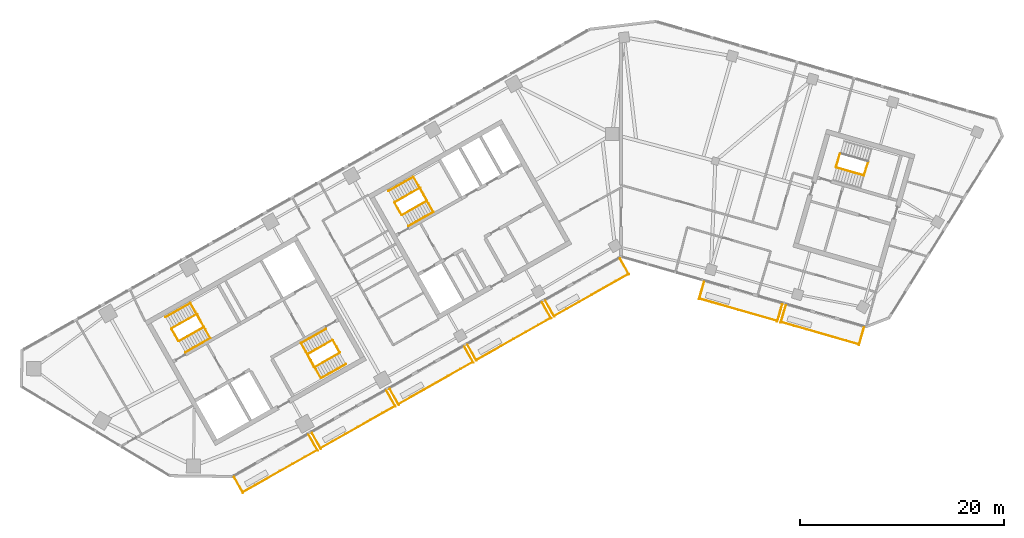
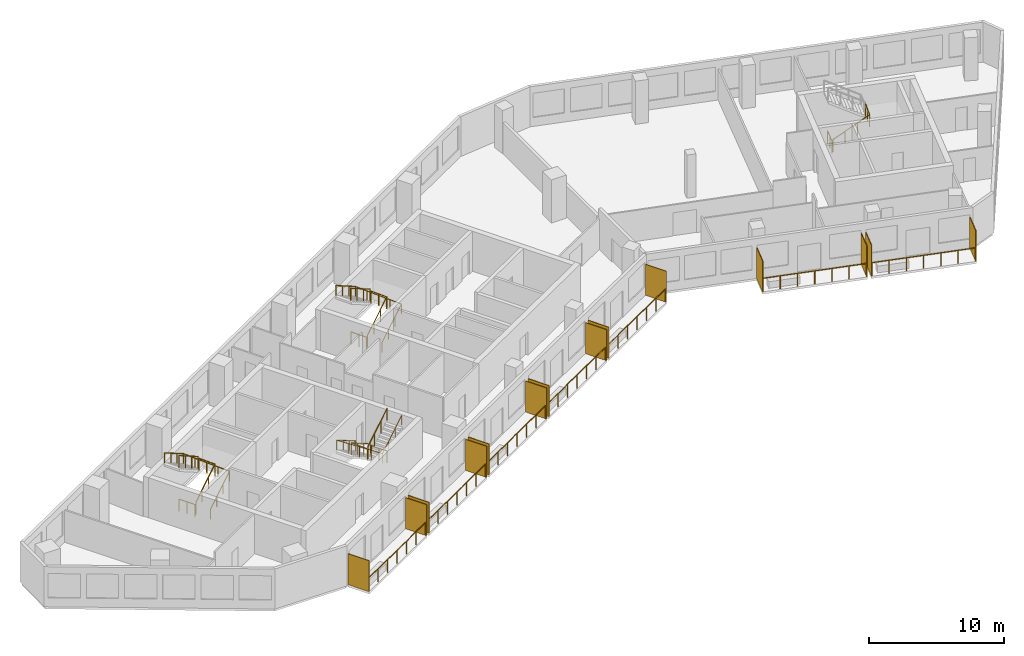
# One storey, part 9 of 11: 21 railings, 14 shading devices.
"""IFC4 building model written with IfcOpenShell, lengths in metres."""

from ifc_helpers import new_model, si_unit, direction, frame, origin, origin_2d, place, context, subcontext, project, spatial, rectangle, circle, extrude, material, layer, layer_set, type_object, element, save


model = new_model("IFC4")

# Units and contexts
model_context = context("Model", 3, precision=1e-05, world=origin(), true_north=direction((0.0, 1.0)))
body_context = subcontext(model_context, "Body", "Model", "MODEL_VIEW")
ifc_project = project(units=[si_unit("LENGTHUNIT", "METRE"), si_unit("AREAUNIT", "SQUARE_METRE"), si_unit("VOLUMEUNIT", "CUBIC_METRE"), si_unit("PLANEANGLEUNIT", "RADIAN"), si_unit("MASSUNIT", "GRAM", prefix="KILO")], contexts=[model_context])

# Site, building, storey
site_placement = place(None, origin())
site = spatial("IfcSite", under=ifc_project, at=site_placement, CompositionType="ELEMENT")
building_placement = place(site_placement, origin())
building = spatial("IfcBuilding", under=site, at=building_placement, Name="Binnacle Exchange Tower", CompositionType="ELEMENT")
storey_placement = place(building_placement, frame((0.0, 0.0, 219.199951171875)))
storey = spatial("IfcBuildingStorey", under=building, at=storey_placement, Name="L48", CompositionType="ELEMENT", Elevation=219.199951171875)

# Railings
ifc_material_1 = material(Name="Bronze anodised aluminium frame", Category="aluminium")
railing_type_1 = type_object("IfcRailingType", Name="GUARD 1200", PredefinedType="GUARDRAIL", material=ifc_material_1)
railing_1_placement = place(storey_placement, frame((-37.006591796875, 24.94287109375, 0.0)))
element("IfcRailing", 1, at=railing_1_placement, inside=storey, type_object=railing_type_1, Name="Balcony guard G01-B00 L48", PredefinedType="GUARDRAIL", context=body_context, shape_type="SweptSolid", body=[
    extrude(circle(Radius=0.02392578125, at=origin_2d()), frame((0.0, 0.0, 1.17578125), z_axis=(0.870353267448, 0.492427852424, 0.0), x_axis=(-0.492427852424, 0.870353267448, 0.0)), (0.0, 0.0, 1.0), 8.334716796875),
    extrude(circle(Radius=0.02099609375, at=origin_2d()), origin(), (0.0, 0.0, 1.0), 1.15185546875),
    extrude(circle(Radius=0.02099609375, at=origin_2d()), frame((1.208984375, 0.68408203125, 0.0)), (0.0, 0.0, 1.0), 1.15185546875),
    extrude(circle(Radius=0.02099609375, at=origin_2d()), frame((2.41796875, 1.3681640625, 0.0)), (0.0, 0.0, 1.0), 1.15185546875),
    extrude(circle(Radius=0.02099609375, at=origin_2d()), frame((3.626953125, 2.05224609375, 0.0)), (0.0, 0.0, 1.0), 1.15185546875),
    extrude(circle(Radius=0.02099609375, at=origin_2d()), frame((4.836181640625, 2.736083984375, 0.0)), (0.0, 0.0, 1.0), 1.15185546875),
    extrude(circle(Radius=0.02099609375, at=origin_2d()), frame((6.045166015625, 3.420166015625, 0.0)), (0.0, 0.0, 1.0), 1.15185546875),
    extrude(circle(Radius=0.02099609375, at=origin_2d()), frame((7.254150390625, 4.104248046875, 0.0)), (0.0, 0.0, 1.0), 1.15185546875),
])
railing_2_placement = place(storey_placement, frame((-29.386962890625, 29.25390625, 0.0)))
element("IfcRailing", 2, at=railing_2_placement, inside=storey, type_object=railing_type_1, Name="Balcony guard G01-B01 L48", PredefinedType="GUARDRAIL", context=body_context, shape_type="SweptSolid", body=[
    extrude(circle(Radius=0.02392578125, at=origin_2d()), frame((0.0, 0.0, 1.17578125), z_axis=(0.870365821494, 0.492405662818, 0.0), x_axis=(-0.492405662818, 0.870365821494, 0.0)), (0.0, 0.0, 1.0), 8.334716796875),
    extrude(circle(Radius=0.02099609375, at=origin_2d()), origin(), (0.0, 0.0, 1.0), 1.15185546875),
    extrude(circle(Radius=0.02099609375, at=origin_2d()), frame((1.208984375, 0.68408203125, 0.0)), (0.0, 0.0, 1.0), 1.15185546875),
    extrude(circle(Radius=0.02099609375, at=origin_2d()), frame((2.41796875, 1.367919921875, 0.0)), (0.0, 0.0, 1.0), 1.15185546875),
    extrude(circle(Radius=0.02099609375, at=origin_2d()), frame((3.626953125, 2.052001953125, 0.0)), (0.0, 0.0, 1.0), 1.15185546875),
    extrude(circle(Radius=0.02099609375, at=origin_2d()), frame((4.836181640625, 2.736083984375, 0.0)), (0.0, 0.0, 1.0), 1.15185546875),
    extrude(circle(Radius=0.02099609375, at=origin_2d()), frame((6.045166015625, 3.419921875, 0.0)), (0.0, 0.0, 1.0), 1.15185546875),
    extrude(circle(Radius=0.02099609375, at=origin_2d()), frame((7.254150390625, 4.10400390625, 0.0)), (0.0, 0.0, 1.0), 1.15185546875),
])
for number, where, name in (
    (3, (-21.767333984375, 33.564697265625, 0.0), "Balcony guard G01-B02 L48"),
    (4, (-14.147705078125, 37.875732421875, 0.0), "Balcony guard G01-B03 L48"),
):
    element("IfcRailing", number, at=place(storey_placement, frame(where)), inside=storey, type_object=railing_type_1, Name=name, PredefinedType="GUARDRAIL", context=body_context, shape_type="SweptSolid", body=[
        extrude(circle(Radius=0.02392578125, at=origin_2d()), frame((0.0, 0.0, 1.17578125), z_axis=(0.8703461643, 0.49244040684, 0.0), x_axis=(-0.49244040684, 0.8703461643, 0.0)), (0.0, 0.0, 1.0), 8.33447265625),
        extrude(circle(Radius=0.02099609375, at=origin_2d()), origin(), (0.0, 0.0, 1.0), 1.15185546875),
        extrude(circle(Radius=0.02099609375, at=origin_2d()), frame((1.208984375, 0.68408203125, 0.0)), (0.0, 0.0, 1.0), 1.15185546875),
        extrude(circle(Radius=0.02099609375, at=origin_2d()), frame((2.41796875, 1.3681640625, 0.0)), (0.0, 0.0, 1.0), 1.15185546875),
        extrude(circle(Radius=0.02099609375, at=origin_2d()), frame((3.626953125, 2.05224609375, 0.0)), (0.0, 0.0, 1.0), 1.15185546875),
        extrude(circle(Radius=0.02099609375, at=origin_2d()), frame((4.8359375, 2.736083984375, 0.0)), (0.0, 0.0, 1.0), 1.15185546875),
        extrude(circle(Radius=0.02099609375, at=origin_2d()), frame((6.044921875, 3.420166015625, 0.0)), (0.0, 0.0, 1.0), 1.15185546875),
        extrude(circle(Radius=0.02099609375, at=origin_2d()), frame((7.25390625, 4.104248046875, 0.0)), (0.0, 0.0, 1.0), 1.15185546875),
    ])
railing_3_placement = place(storey_placement, frame((-6.5283203125, 42.186767578125, 0.0)))
element("IfcRailing", 5, at=railing_3_placement, inside=storey, type_object=railing_type_1, Name="Balcony guard G01-B04 L48", PredefinedType="GUARDRAIL", context=body_context, shape_type="SweptSolid", body=[
    extrude(circle(Radius=0.02392578125, at=origin_2d()), frame((0.0, 0.0, 1.17578125), z_axis=(0.870365821494, 0.492405662818, 0.0), x_axis=(-0.492405662818, 0.870365821494, 0.0)), (0.0, 0.0, 1.0), 8.334716796875),
    extrude(circle(Radius=0.02099609375, at=origin_2d()), origin(), (0.0, 0.0, 1.0), 1.15185546875),
    extrude(circle(Radius=0.02099609375, at=origin_2d()), frame((1.208984375, 0.68408203125, 0.0)), (0.0, 0.0, 1.0), 1.15185546875),
    extrude(circle(Radius=0.02099609375, at=origin_2d()), frame((2.41796875, 1.367919921875, 0.0)), (0.0, 0.0, 1.0), 1.15185546875),
    extrude(circle(Radius=0.02099609375, at=origin_2d()), frame((3.626953125, 2.052001953125, 0.0)), (0.0, 0.0, 1.0), 1.15185546875),
    extrude(circle(Radius=0.02099609375, at=origin_2d()), frame((4.836181640625, 2.736083984375, 0.0)), (0.0, 0.0, 1.0), 1.15185546875),
    extrude(circle(Radius=0.02099609375, at=origin_2d()), frame((6.045166015625, 3.419921875, 0.0)), (0.0, 0.0, 1.0), 1.15185546875),
    extrude(circle(Radius=0.02099609375, at=origin_2d()), frame((7.254150390625, 4.10400390625, 0.0)), (0.0, 0.0, 1.0), 1.15185546875),
])
railing_4_placement = place(storey_placement, frame((7.69140625, 43.875244140625, 0.0)))
element("IfcRailing", 6, at=railing_4_placement, inside=storey, type_object=railing_type_1, Name="Balcony guard G02-B01 L48", PredefinedType="GUARDRAIL", context=body_context, shape_type="SweptSolid", body=[
    extrude(circle(Radius=0.02392578125, at=origin_2d()), frame((0.0, 0.0, 1.17578125), z_axis=(0.961259965977, -0.275643388836, 0.0), x_axis=(0.275643388836, 0.961259965977, 0.0)), (0.0, 0.0, 1.0), 7.900634765625),
    extrude(circle(Radius=0.02099609375, at=origin_2d()), origin(), (0.0, 0.0, 1.0), 1.15185546875),
    extrude(circle(Radius=0.02099609375, at=origin_2d()), frame((1.265625, -0.363037109375, 0.0)), (0.0, 0.0, 1.0), 1.15185546875),
    extrude(circle(Radius=0.02099609375, at=origin_2d()), frame((2.531494140625, -0.725830078125, 0.0)), (0.0, 0.0, 1.0), 1.15185546875),
    extrude(circle(Radius=0.02099609375, at=origin_2d()), frame((3.79736328125, -1.0888671875, 0.0)), (0.0, 0.0, 1.0), 1.15185546875),
    extrude(circle(Radius=0.02099609375, at=origin_2d()), frame((5.06298828125, -1.451904296875, 0.0)), (0.0, 0.0, 1.0), 1.15185546875),
    extrude(circle(Radius=0.02099609375, at=origin_2d()), frame((6.32861328125, -1.814697265625, 0.0)), (0.0, 0.0, 1.0), 1.15185546875),
    extrude(circle(Radius=0.02099609375, at=origin_2d()), frame((7.594482421875, -2.177734375, 0.0)), (0.0, 0.0, 1.0), 1.15185546875),
])
railing_5_placement = place(storey_placement, frame((15.689453125, 41.581787109375, 0.0)))
element("IfcRailing", 7, at=railing_5_placement, inside=storey, type_object=railing_type_1, Name="Balcony guard G02-B02 L48", PredefinedType="GUARDRAIL", context=body_context, shape_type="SweptSolid", body=[
    extrude(circle(Radius=0.02392578125, at=origin_2d()), frame((0.0, 0.0, 1.17578125), z_axis=(0.961257617982, -0.275651576943, 0.0), x_axis=(0.275651576943, 0.961257617982, 0.0)), (0.0, 0.0, 1.0), 7.900390625),
    extrude(circle(Radius=0.02099609375, at=origin_2d()), origin(), (0.0, 0.0, 1.0), 1.15185546875),
    extrude(circle(Radius=0.02099609375, at=origin_2d()), frame((1.265625, -0.363037109375, 0.0)), (0.0, 0.0, 1.0), 1.15185546875),
    extrude(circle(Radius=0.02099609375, at=origin_2d()), frame((2.531494140625, -0.725830078125, 0.0)), (0.0, 0.0, 1.0), 1.15185546875),
    extrude(circle(Radius=0.02099609375, at=origin_2d()), frame((3.797119140625, -1.0888671875, 0.0)), (0.0, 0.0, 1.0), 1.15185546875),
    extrude(circle(Radius=0.02099609375, at=origin_2d()), frame((5.062744140625, -1.451904296875, 0.0)), (0.0, 0.0, 1.0), 1.15185546875),
    extrude(circle(Radius=0.02099609375, at=origin_2d()), frame((6.32861328125, -1.814697265625, 0.0)), (0.0, 0.0, 1.0), 1.15185546875),
    extrude(circle(Radius=0.02099609375, at=origin_2d()), frame((7.59423828125, -2.177734375, 0.0)), (0.0, 0.0, 1.0), 1.15185546875),
])

# Shading devices
ifc_material_2 = material(Name="Bronze aluminium louvre", Category="aluminium")
ifc_layer = layer(ifc_material_2, 0.06005859375)
ifc_layer_set = layer_set([ifc_layer], Name="PLANTED SCREEN 60x2800")
shading_device_type = type_object("IfcShadingDeviceType", Name="PLANTED SCREEN 60x2800", PredefinedType="USERDEFINED", material=ifc_layer_set)
for number, where, z_axis, x_axis, name in (
    (8, (-37.436279296875, 25.641845703125, 0.0), (0.0, 0.0, 1.0), (0.87035569594, 0.492423560103, 0.0), "Planted screen G01-B00a L48"),
    (9, (-30.130126953125, 29.775390625, 0.0), (0.0, 0.0, 1.0), (0.87035569594, 0.492423560103, 0.0), "Planted screen G01-B00b L48"),
    (10, (-29.81689453125, 29.95263671875, 0.0), (0.0, 0.0, 1.0), (0.87035569594, 0.492423560103, 0.0), "Planted screen G01-B01a L48"),
    (11, (-22.510498046875, 34.08642578125, 0.0), (0.0, 0.0, 1.0), (0.87035569594, 0.492423560103, 0.0), "Planted screen G01-B01b L48"),
    (12, (-22.197265625, 34.263671875, 0.0), (0.0, 0.0, 1.0), (0.87035569594, 0.492423560103, 0.0), "Planted screen G01-B02a L48"),
    (13, (-14.89111328125, 38.3974609375, 0.0), (0.0, 0.0, 1.0), (0.87035569594, 0.492423560103, 0.0), "Planted screen G01-B02b L48"),
    (14, (-14.57763671875, 38.57470703125, 0.0), (0.0, 0.0, 1.0), (0.87035569594, 0.492423560103, 0.0), "Planted screen G01-B03a L48"),
    (15, (-7.271484375, 42.70849609375, 0.0), (0.0, 0.0, 1.0), (0.87035569594, 0.492423560103, 0.0), "Planted screen G01-B03b L48"),
    (16, (-6.9580078125, 42.885498046875, 0.0), (0.0, 0.0, 1.0), (0.87035569594, 0.492423560103, 0.0), "Planted screen G01-B04a L48"),
    (17, (0.34814453125, 47.019287109375, 0.0), (0.0, 0.0, 1.0), (0.87035569594, 0.492423560103, 0.0), "Planted screen G01-B04b L48"),
    (18, (7.888671875, 44.671630859375, 0.0), (0.0, 0.0, 1.0), (0.961261695938, -0.275637355817, 0.0), "Planted screen G02-B01a L48"),
    (19, (15.54052734375, 42.4775390625, 0.0), (0.0, 0.0, 1.0), (0.961261695938, -0.275637355817, 0.0), "Planted screen G02-B01b L48"),
    (20, (15.88671875, 42.37841796875, 0.0), (0.0, 0.0, 1.0), (0.961261695938, -0.275637355817, 0.0), "Planted screen G02-B02a L48"),
    (21, (23.538818359375, 40.18408203125, 0.0), (0.0, 0.0, 1.0), (0.961261695938, -0.275637355817, 0.0), "Planted screen G02-B02b L48"),
):
    element("IfcShadingDevice", number, at=place(storey_placement, frame(where, z_axis=z_axis, x_axis=x_axis)), inside=storey, type_object=shading_device_type, Name=name, ObjectType="SCREEN", PredefinedType="USERDEFINED", context=body_context, shape_type="SweptSolid", body=[
        extrude(rectangle(XDim=0.06005859375, YDim=1.800048828125, at=origin_2d()), origin(), (0.0, 0.0, 1.0), 2.800048828125),
    ])

# Railings
ifc_material_3 = material(Name="Steel guard rail", Category="steel")
railing_type_2 = type_object("IfcRailingType", Name="STAIR GUARD 1100", PredefinedType="GUARDRAIL", material=ifc_material_3)
railing_6_placement = place(storey_placement, frame((-43.26171875, 39.71728515625, 0.17724609375)))
element("IfcRailing", 22, at=railing_6_placement, inside=storey, type_object=railing_type_2, Name="L48 STA1 stair guard 1", PredefinedType="GUARDRAIL", context=body_context, shape_type="SweptSolid", body=[
    extrude(circle(Radius=0.02392578125, at=origin_2d()), frame((0.0, 0.0, 1.076171875), z_axis=(0.735358749054, 0.416079564682, 0.534906819964), x_axis=(-0.492453686477, 0.870338650569, 0.0)), (0.0, 0.0, 1.0), 3.31396484375),
    extrude(circle(Radius=0.02392578125, at=origin_2d()), frame((2.43701171875, 1.37890625, 2.8486328125), z_axis=(-0.461100321709, 0.887348011391, 0.0), x_axis=(-0.887348011391, -0.461100321709, 0.0)), (0.0, 0.0, 1.0), 1.40087890625),
    extrude(circle(Radius=0.02099609375, at=origin_2d()), origin(), (0.0, 0.0, 1.0), 1.052001953125),
    extrude(circle(Radius=0.02099609375, at=origin_2d()), frame((0.812255859375, 0.459716796875, 0.5908203125)), (0.0, 0.0, 1.0), 1.052001953125),
    extrude(circle(Radius=0.02099609375, at=origin_2d()), frame((1.624755859375, 0.919189453125, 1.181884765625)), (0.0, 0.0, 1.0), 1.052001953125),
    extrude(circle(Radius=0.02099609375, at=origin_2d()), frame((2.43701171875, 1.37890625, 1.772705078125)), (0.0, 0.0, 1.0), 1.052001953125),
    extrude(circle(Radius=0.02099609375, at=origin_2d()), frame((2.114013671875, 2.00048828125, 1.772705078125)), (0.0, 0.0, 1.0), 1.052001953125),
    extrude(circle(Radius=0.02099609375, at=origin_2d()), frame((1.791015625, 2.6220703125, 1.772705078125)), (0.0, 0.0, 1.0), 1.052001953125),
])
railing_7_placement = place(storey_placement, frame((-41.538818359375, 42.358154296875, 2.12744140625)))
element("IfcRailing", 23, at=railing_7_placement, inside=storey, type_object=railing_type_2, Name="L48 STA1 stair guard 2", PredefinedType="GUARDRAIL", context=body_context, shape_type="SweptSolid", body=[
    extrude(circle(Radius=0.02392578125, at=origin_2d()), frame((0.0, 0.0, 1.076171875), z_axis=(-0.735358749054, -0.416079564682, 0.534906819964), x_axis=(0.492453686477, -0.870338650569, 0.0)), (0.0, 0.0, 1.0), 3.31396484375),
    extrude(circle(Radius=0.02099609375, at=origin_2d()), origin(), (0.0, 0.0, 1.0), 1.052001953125),
    extrude(circle(Radius=0.02099609375, at=origin_2d()), frame((-0.812255859375, -0.459716796875, 0.5908203125)), (0.0, 0.0, 1.0), 1.052001953125),
    extrude(circle(Radius=0.02099609375, at=origin_2d()), frame((-1.624755859375, -0.919189453125, 1.181884765625)), (0.0, 0.0, 1.0), 1.052001953125),
    extrude(circle(Radius=0.02099609375, at=origin_2d()), frame((-2.43701171875, -1.37890625, 1.772705078125)), (0.0, 0.0, 1.0), 1.052001953125),
])
railing_8_placement = place(storey_placement, frame((-43.329833984375, 39.736328125, 0.0)))
element("IfcRailing", 24, at=railing_8_placement, inside=storey, type_object=railing_type_2, Name="L48 STA1 stair guard 3", PredefinedType="GUARDRAIL", context=body_context, shape_type="SweptSolid", body=[
    extrude(circle(Radius=0.02392578125, at=origin_2d()), frame((0.0, 0.0, 1.076171875), z_axis=(-0.4924922531, 0.870316827734, 0.0), x_axis=(-0.870316827734, -0.4924922531, 0.0)), (0.0, 0.0, 1.0), 1.349853515625),
    extrude(circle(Radius=0.02099609375, at=origin_2d()), origin(), (0.0, 0.0, 1.0), 1.052001953125),
    extrude(circle(Radius=0.02099609375, at=origin_2d()), frame((-0.33251953125, 0.58740234375, 0.0)), (0.0, 0.0, 1.0), 1.052001953125),
    extrude(circle(Radius=0.02099609375, at=origin_2d()), frame((-0.664794921875, 1.1748046875, 0.0)), (0.0, 0.0, 1.0), 1.052001953125),
])
railing_9_placement = place(storey_placement, frame((-28.265380859375, 39.814453125, 0.17724609375)))
element("IfcRailing", 25, at=railing_9_placement, inside=storey, type_object=railing_type_2, Name="L48 STA2 stair guard 1", PredefinedType="GUARDRAIL", context=body_context, shape_type="SweptSolid", body=[
    extrude(circle(Radius=0.02392578125, at=origin_2d()), frame((0.0, 0.0, 1.076171875), z_axis=(-0.735381288273, -0.416018647052, 0.534923215202), x_axis=(0.492387636113, -0.870376019777, 0.0)), (0.0, 0.0, 1.0), 3.31396484375),
    extrude(circle(Radius=0.02392578125, at=origin_2d()), frame((-2.43701171875, -1.378662109375, 2.8486328125), z_axis=(0.460963092712, -0.887419307406, 0.0), x_axis=(0.887419307406, 0.460963092712, 0.0)), (0.0, 0.0, 1.0), 1.40087890625),
    extrude(circle(Radius=0.02099609375, at=origin_2d()), origin(), (0.0, 0.0, 1.0), 1.052001953125),
    extrude(circle(Radius=0.02099609375, at=origin_2d()), frame((-0.812255859375, -0.45947265625, 0.5908203125)), (0.0, 0.0, 1.0), 1.052001953125),
    extrude(circle(Radius=0.02099609375, at=origin_2d()), frame((-1.624755859375, -0.919189453125, 1.181884765625)), (0.0, 0.0, 1.0), 1.052001953125),
    extrude(circle(Radius=0.02099609375, at=origin_2d()), frame((-2.43701171875, -1.378662109375, 1.772705078125)), (0.0, 0.0, 1.0), 1.052001953125),
    extrude(circle(Radius=0.02099609375, at=origin_2d()), frame((-2.1142578125, -2.000244140625, 1.772705078125)), (0.0, 0.0, 1.0), 1.052001953125),
    extrude(circle(Radius=0.02099609375, at=origin_2d()), frame((-1.791259765625, -2.621826171875, 1.772705078125)), (0.0, 0.0, 1.0), 1.052001953125),
])
railing_10_placement = place(storey_placement, frame((-29.988525390625, 37.173583984375, 2.12744140625)))
element("IfcRailing", 26, at=railing_10_placement, inside=storey, type_object=railing_type_2, Name="L48 STA2 stair guard 2", PredefinedType="GUARDRAIL", context=body_context, shape_type="SweptSolid", body=[
    extrude(circle(Radius=0.02392578125, at=origin_2d()), frame((0.0, 0.0, 1.076171875), z_axis=(0.735358749054, 0.416079564682, 0.534906819964), x_axis=(-0.492453686477, 0.870338650569, 0.0)), (0.0, 0.0, 1.0), 3.31396484375),
    extrude(circle(Radius=0.02099609375, at=origin_2d()), origin(), (0.0, 0.0, 1.0), 1.052001953125),
    extrude(circle(Radius=0.02099609375, at=origin_2d()), frame((0.812255859375, 0.459716796875, 0.5908203125)), (0.0, 0.0, 1.0), 1.052001953125),
    extrude(circle(Radius=0.02099609375, at=origin_2d()), frame((1.624755859375, 0.919189453125, 1.181884765625)), (0.0, 0.0, 1.0), 1.052001953125),
    extrude(circle(Radius=0.02099609375, at=origin_2d()), frame((2.43701171875, 1.37890625, 1.772705078125)), (0.0, 0.0, 1.0), 1.052001953125),
])
railing_11_placement = place(storey_placement, frame((-28.197265625, 39.795654296875, 0.0)))
element("IfcRailing", 27, at=railing_11_placement, inside=storey, type_object=railing_type_2, Name="L48 STA2 stair guard 3", PredefinedType="GUARDRAIL", context=body_context, shape_type="SweptSolid", body=[
    extrude(circle(Radius=0.02392578125, at=origin_2d()), frame((0.0, 0.0, 1.076171875), z_axis=(0.49241474071, -0.870360685654, 0.0), x_axis=(0.870360685654, 0.49241474071, 0.0)), (0.0, 0.0, 1.0), 1.35009765625),
    extrude(circle(Radius=0.02099609375, at=origin_2d()), origin(), (0.0, 0.0, 1.0), 1.052001953125),
    extrude(circle(Radius=0.02099609375, at=origin_2d()), frame((0.33251953125, -0.58740234375, 0.0)), (0.0, 0.0, 1.0), 1.052001953125),
    extrude(circle(Radius=0.02099609375, at=origin_2d()), frame((0.664794921875, -1.175048828125, 0.0)), (0.0, 0.0, 1.0), 1.052001953125),
])
railing_12_placement = place(storey_placement, frame((-21.423828125, 52.07275390625, 0.17724609375)))
element("IfcRailing", 28, at=railing_12_placement, inside=storey, type_object=railing_type_2, Name="L48 STC1 stair guard 1", PredefinedType="GUARDRAIL", context=body_context, shape_type="SweptSolid", body=[
    extrude(circle(Radius=0.02392578125, at=origin_2d()), frame((0.0, 0.0, 1.076171875), z_axis=(0.735381288273, 0.416018647052, 0.534923215202), x_axis=(-0.492387636113, 0.870376019777, 0.0)), (0.0, 0.0, 1.0), 3.31396484375),
    extrude(circle(Radius=0.02392578125, at=origin_2d()), frame((2.43701171875, 1.378662109375, 2.8486328125), z_axis=(-0.460963092712, 0.887419307406, 0.0), x_axis=(-0.887419307406, -0.460963092712, 0.0)), (0.0, 0.0, 1.0), 1.40087890625),
    extrude(circle(Radius=0.02099609375, at=origin_2d()), origin(), (0.0, 0.0, 1.0), 1.052001953125),
    extrude(circle(Radius=0.02099609375, at=origin_2d()), frame((0.812255859375, 0.45947265625, 0.5908203125)), (0.0, 0.0, 1.0), 1.052001953125),
    extrude(circle(Radius=0.02099609375, at=origin_2d()), frame((1.624755859375, 0.919189453125, 1.181884765625)), (0.0, 0.0, 1.0), 1.052001953125),
    extrude(circle(Radius=0.02099609375, at=origin_2d()), frame((2.43701171875, 1.378662109375, 1.772705078125)), (0.0, 0.0, 1.0), 1.052001953125),
    extrude(circle(Radius=0.02099609375, at=origin_2d()), frame((2.1142578125, 2.000244140625, 1.772705078125)), (0.0, 0.0, 1.0), 1.052001953125),
    extrude(circle(Radius=0.02099609375, at=origin_2d()), frame((1.791259765625, 2.621826171875, 1.772705078125)), (0.0, 0.0, 1.0), 1.052001953125),
])
railing_13_placement = place(storey_placement, frame((-19.70068359375, 54.71337890625, 2.12744140625)))
element("IfcRailing", 29, at=railing_13_placement, inside=storey, type_object=railing_type_2, Name="L48 STC1 stair guard 2", PredefinedType="GUARDRAIL", context=body_context, shape_type="SweptSolid", body=[
    extrude(circle(Radius=0.02392578125, at=origin_2d()), frame((0.0, 0.0, 1.076171875), z_axis=(-0.735381288273, -0.416018647052, 0.534923215202), x_axis=(0.492387636113, -0.870376019777, 0.0)), (0.0, 0.0, 1.0), 3.31396484375),
    extrude(circle(Radius=0.02099609375, at=origin_2d()), origin(), (0.0, 0.0, 1.0), 1.052001953125),
    extrude(circle(Radius=0.02099609375, at=origin_2d()), frame((-0.812255859375, -0.45947265625, 0.5908203125)), (0.0, 0.0, 1.0), 1.052001953125),
    extrude(circle(Radius=0.02099609375, at=origin_2d()), frame((-1.624755859375, -0.919189453125, 1.181884765625)), (0.0, 0.0, 1.0), 1.052001953125),
    extrude(circle(Radius=0.02099609375, at=origin_2d()), frame((-2.43701171875, -1.378662109375, 1.772705078125)), (0.0, 0.0, 1.0), 1.052001953125),
])
railing_14_placement = place(storey_placement, frame((-21.491943359375, 52.091552734375, 0.0)))
element("IfcRailing", 30, at=railing_14_placement, inside=storey, type_object=railing_type_2, Name="L48 STC1 stair guard 3", PredefinedType="GUARDRAIL", context=body_context, shape_type="SweptSolid", body=[
    extrude(circle(Radius=0.02392578125, at=origin_2d()), frame((0.0, 0.0, 1.076171875), z_axis=(-0.49241474071, 0.870360685654, 0.0), x_axis=(-0.870360685654, -0.49241474071, 0.0)), (0.0, 0.0, 1.0), 1.35009765625),
    extrude(circle(Radius=0.02099609375, at=origin_2d()), origin(), (0.0, 0.0, 1.0), 1.052001953125),
    extrude(circle(Radius=0.02099609375, at=origin_2d()), frame((-0.33251953125, 0.58740234375, 0.0)), (0.0, 0.0, 1.0), 1.052001953125),
    extrude(circle(Radius=0.02099609375, at=origin_2d()), frame((-0.664794921875, 1.175048828125, 0.0)), (0.0, 0.0, 1.0), 1.052001953125),
])
railing_15_placement = place(storey_placement, frame((21.086669921875, 56.71044921875, 0.17724609375)))
element("IfcRailing", 31, at=railing_15_placement, inside=storey, type_object=railing_type_2, Name="L48 STD1 stair guard 1", PredefinedType="GUARDRAIL", context=body_context, shape_type="SweptSolid", body=[
    extrude(circle(Radius=0.02392578125, at=origin_2d()), frame((0.0, 0.0, 1.076171875), z_axis=(0.81215085225, -0.232948203448, 0.534926282491), x_axis=(0.275711388614, 0.96124046429, 0.0)), (0.0, 0.0, 1.0), 3.31396484375),
    extrude(circle(Radius=0.02392578125, at=origin_2d()), frame((2.69140625, -0.77197265625, 2.8486328125), z_axis=(0.309842533299, 0.950787886208, 0.0), x_axis=(-0.950787886208, 0.309842533299, 0.0)), (0.0, 0.0, 1.0), 1.40087890625),
    extrude(circle(Radius=0.02099609375, at=origin_2d()), origin(), (0.0, 0.0, 1.0), 1.052001953125),
    extrude(circle(Radius=0.02099609375, at=origin_2d()), frame((0.897216796875, -0.25732421875, 0.5908203125)), (0.0, 0.0, 1.0), 1.052001953125),
    extrude(circle(Radius=0.02099609375, at=origin_2d()), frame((1.794189453125, -0.5146484375, 1.181884765625)), (0.0, 0.0, 1.0), 1.052001953125),
    extrude(circle(Radius=0.02099609375, at=origin_2d()), frame((2.69140625, -0.77197265625, 1.772705078125)), (0.0, 0.0, 1.0), 1.052001953125),
    extrude(circle(Radius=0.02099609375, at=origin_2d()), frame((2.908447265625, -0.10595703125, 1.772705078125)), (0.0, 0.0, 1.0), 1.052001953125),
    extrude(circle(Radius=0.02099609375, at=origin_2d()), frame((3.12548828125, 0.56005859375, 1.772705078125)), (0.0, 0.0, 1.0), 1.052001953125),
])
railing_16_placement = place(storey_placement, frame((21.05224609375, 56.772216796875, 0.0)))
element("IfcRailing", 32, at=railing_16_placement, inside=storey, type_object=railing_type_2, Name="L48 STD1 stair guard 3", PredefinedType="GUARDRAIL", context=body_context, shape_type="SweptSolid", body=[
    extrude(circle(Radius=0.02392578125, at=origin_2d()), frame((0.0, 0.0, 1.076171875), z_axis=(0.275795817769, 0.961216243569, 0.0), x_axis=(-0.961216243569, 0.275795817769, 0.0)), (0.0, 0.0, 1.0), 1.349853515625),
    extrude(circle(Radius=0.02099609375, at=origin_2d()), origin(), (0.0, 0.0, 1.0), 1.052001953125),
    extrude(circle(Radius=0.02099609375, at=origin_2d()), frame((0.18603515625, 0.64892578125, 0.0)), (0.0, 0.0, 1.0), 1.052001953125),
    extrude(circle(Radius=0.02099609375, at=origin_2d()), frame((0.372314453125, 1.297607421875, 0.0)), (0.0, 0.0, 1.0), 1.052001953125),
])
ifc_material_4 = material(Name="Steel handrail", Category="steel")
railing_type_3 = type_object("IfcRailingType", Name="STAIR HANDRAIL 900", PredefinedType="HANDRAIL", material=ifc_material_4)
railing_17_placement = place(storey_placement, frame((-42.646240234375, 38.62939453125, 0.17724609375)))
element("IfcRailing", 33, at=railing_17_placement, inside=storey, type_object=railing_type_3, Name="L48 STA1 stair handrail 1", PredefinedType="HANDRAIL", context=body_context, shape_type="SweptSolid", body=[
    extrude(circle(Radius=0.02392578125, at=origin_2d()), frame((0.0, 0.0, 0.8759765625), z_axis=(0.735381288273, 0.416018647052, 0.534923215202), x_axis=(-0.492387636113, 0.870376019777, 0.0)), (0.0, 0.0, 1.0), 3.31396484375),
    extrude(circle(Radius=0.02392578125, at=origin_2d()), frame((2.43701171875, 1.378662109375, 2.6484375), z_axis=(-0.491917278502, 0.869484011028, 0.044888146287), x_axis=(-0.870361318571, -0.492413622004, 0.0)), (0.0, 0.0, 1.0), 3.9541015625),
    extrude(circle(Radius=0.02392578125, at=origin_2d()), frame((0.491943359375, 4.816650390625, 2.826171875), z_axis=(-0.735381288273, -0.416018647052, 0.534923215202), x_axis=(0.492387636113, -0.870376019777, 0.0)), (0.0, 0.0, 1.0), 3.31396484375),
    extrude(circle(Radius=0.02099609375, at=origin_2d()), origin(), (0.0, 0.0, 1.0), 0.851806640625),
    extrude(circle(Radius=0.02099609375, at=origin_2d()), frame((0.812255859375, 0.45947265625, 0.5908203125)), (0.0, 0.0, 1.0), 0.851806640625),
    extrude(circle(Radius=0.02099609375, at=origin_2d()), frame((1.624755859375, 0.919189453125, 1.181884765625)), (0.0, 0.0, 1.0), 0.851806640625),
    extrude(circle(Radius=0.02099609375, at=origin_2d()), frame((2.43701171875, 1.378662109375, 1.772705078125)), (0.0, 0.0, 1.0), 0.851806640625),
    extrude(circle(Radius=0.02099609375, at=origin_2d()), frame((1.95068359375, 2.23828125, 1.817138671875)), (0.0, 0.0, 1.0), 0.851806640625),
    extrude(circle(Radius=0.02099609375, at=origin_2d()), frame((1.46435546875, 3.09765625, 1.861328125)), (0.0, 0.0, 1.0), 0.851806640625),
    extrude(circle(Radius=0.02099609375, at=origin_2d()), frame((0.978271484375, 3.95703125, 1.90576171875)), (0.0, 0.0, 1.0), 0.851806640625),
    extrude(circle(Radius=0.02099609375, at=origin_2d()), frame((0.491943359375, 4.816650390625, 1.9501953125)), (0.0, 0.0, 1.0), 0.851806640625),
    extrude(circle(Radius=0.02099609375, at=origin_2d()), frame((-0.3203125, 4.357177734375, 2.541015625)), (0.0, 0.0, 1.0), 0.851806640625),
    extrude(circle(Radius=0.02099609375, at=origin_2d()), frame((-1.1328125, 3.8974609375, 3.132080078125)), (0.0, 0.0, 1.0), 0.851806640625),
    extrude(circle(Radius=0.02099609375, at=origin_2d()), frame((-1.945068359375, 3.43798828125, 3.722900390625)), (0.0, 0.0, 1.0), 0.851806640625),
])
railing_18_placement = place(storey_placement, frame((-28.880859375, 40.90234375, 0.17724609375)))
element("IfcRailing", 34, at=railing_18_placement, inside=storey, type_object=railing_type_3, Name="L48 STA2 stair handrail 1", PredefinedType="HANDRAIL", context=body_context, shape_type="SweptSolid", body=[
    extrude(circle(Radius=0.02392578125, at=origin_2d()), frame((0.0, 0.0, 0.8759765625), z_axis=(-0.735381288273, -0.416018647052, 0.534923215202), x_axis=(0.492387636113, -0.870376019777, 0.0)), (0.0, 0.0, 1.0), 3.31396484375),
    extrude(circle(Radius=0.02392578125, at=origin_2d()), frame((-2.43701171875, -1.378662109375, 2.6484375), z_axis=(0.491917278502, -0.869484011028, 0.044888146287), x_axis=(0.870361318571, 0.492413622004, 0.0)), (0.0, 0.0, 1.0), 3.9541015625),
    extrude(circle(Radius=0.02392578125, at=origin_2d()), frame((-0.491943359375, -4.816650390625, 2.826171875), z_axis=(0.735358749054, 0.416079564682, 0.534906819964), x_axis=(-0.492453686477, 0.870338650569, 0.0)), (0.0, 0.0, 1.0), 3.31396484375),
    extrude(circle(Radius=0.02099609375, at=origin_2d()), origin(), (0.0, 0.0, 1.0), 0.851806640625),
    extrude(circle(Radius=0.02099609375, at=origin_2d()), frame((-0.812255859375, -0.45947265625, 0.5908203125)), (0.0, 0.0, 1.0), 0.851806640625),
    extrude(circle(Radius=0.02099609375, at=origin_2d()), frame((-1.624755859375, -0.919189453125, 1.181884765625)), (0.0, 0.0, 1.0), 0.851806640625),
    extrude(circle(Radius=0.02099609375, at=origin_2d()), frame((-2.43701171875, -1.378662109375, 1.772705078125)), (0.0, 0.0, 1.0), 0.851806640625),
    extrude(circle(Radius=0.02099609375, at=origin_2d()), frame((-1.95068359375, -2.23828125, 1.817138671875)), (0.0, 0.0, 1.0), 0.851806640625),
    extrude(circle(Radius=0.02099609375, at=origin_2d()), frame((-1.46435546875, -3.09765625, 1.861328125)), (0.0, 0.0, 1.0), 0.851806640625),
    extrude(circle(Radius=0.02099609375, at=origin_2d()), frame((-0.978271484375, -3.95703125, 1.90576171875)), (0.0, 0.0, 1.0), 0.851806640625),
    extrude(circle(Radius=0.02099609375, at=origin_2d()), frame((-0.491943359375, -4.816650390625, 1.9501953125)), (0.0, 0.0, 1.0), 0.851806640625),
    extrude(circle(Radius=0.02099609375, at=origin_2d()), frame((0.3203125, -4.35693359375, 2.541015625)), (0.0, 0.0, 1.0), 0.851806640625),
    extrude(circle(Radius=0.02099609375, at=origin_2d()), frame((1.1328125, -3.8974609375, 3.132080078125)), (0.0, 0.0, 1.0), 0.851806640625),
    extrude(circle(Radius=0.02099609375, at=origin_2d()), frame((1.945068359375, -3.437744140625, 3.722900390625)), (0.0, 0.0, 1.0), 0.851806640625),
])
railing_19_placement = place(storey_placement, frame((-20.808349609375, 50.984619140625, 0.17724609375)))
element("IfcRailing", 35, at=railing_19_placement, inside=storey, type_object=railing_type_3, Name="L48 STC1 stair handrail 1", PredefinedType="HANDRAIL", context=body_context, shape_type="SweptSolid", body=[
    extrude(circle(Radius=0.02392578125, at=origin_2d()), frame((0.0, 0.0, 0.8759765625), z_axis=(0.735358749054, 0.416079564682, 0.534906819964), x_axis=(-0.492453686477, 0.870338650569, 0.0)), (0.0, 0.0, 1.0), 3.31396484375),
    extrude(circle(Radius=0.02392578125, at=origin_2d()), frame((2.43701171875, 1.37890625, 2.6484375), z_axis=(-0.491943688629, 0.869468944343, 0.044890556249), x_axis=(-0.87034633103, -0.492440112159, 0.0)), (0.0, 0.0, 1.0), 3.953857421875),
    extrude(circle(Radius=0.02392578125, at=origin_2d()), frame((0.491943359375, 4.816650390625, 2.826171875), z_axis=(-0.735381288273, -0.416018647052, 0.534923215202), x_axis=(0.492387636113, -0.870376019777, 0.0)), (0.0, 0.0, 1.0), 3.31396484375),
    extrude(circle(Radius=0.02099609375, at=origin_2d()), origin(), (0.0, 0.0, 1.0), 0.851806640625),
    extrude(circle(Radius=0.02099609375, at=origin_2d()), frame((0.812255859375, 0.459716796875, 0.5908203125)), (0.0, 0.0, 1.0), 0.851806640625),
    extrude(circle(Radius=0.02099609375, at=origin_2d()), frame((1.624755859375, 0.919189453125, 1.181884765625)), (0.0, 0.0, 1.0), 0.851806640625),
    extrude(circle(Radius=0.02099609375, at=origin_2d()), frame((2.43701171875, 1.37890625, 1.772705078125)), (0.0, 0.0, 1.0), 0.851806640625),
    extrude(circle(Radius=0.02099609375, at=origin_2d()), frame((1.95068359375, 2.23828125, 1.817138671875)), (0.0, 0.0, 1.0), 0.851806640625),
    extrude(circle(Radius=0.02099609375, at=origin_2d()), frame((1.46435546875, 3.09765625, 1.861328125)), (0.0, 0.0, 1.0), 0.851806640625),
    extrude(circle(Radius=0.02099609375, at=origin_2d()), frame((0.978271484375, 3.957275390625, 1.90576171875)), (0.0, 0.0, 1.0), 0.851806640625),
    extrude(circle(Radius=0.02099609375, at=origin_2d()), frame((0.491943359375, 4.816650390625, 1.9501953125)), (0.0, 0.0, 1.0), 0.851806640625),
    extrude(circle(Radius=0.02099609375, at=origin_2d()), frame((-0.3203125, 4.357177734375, 2.541015625)), (0.0, 0.0, 1.0), 0.851806640625),
    extrude(circle(Radius=0.02099609375, at=origin_2d()), frame((-1.1328125, 3.8974609375, 3.132080078125)), (0.0, 0.0, 1.0), 0.851806640625),
    extrude(circle(Radius=0.02099609375, at=origin_2d()), frame((-1.945068359375, 3.43798828125, 3.722900390625)), (0.0, 0.0, 1.0), 0.851806640625),
])

save(model, "model.ifc")
